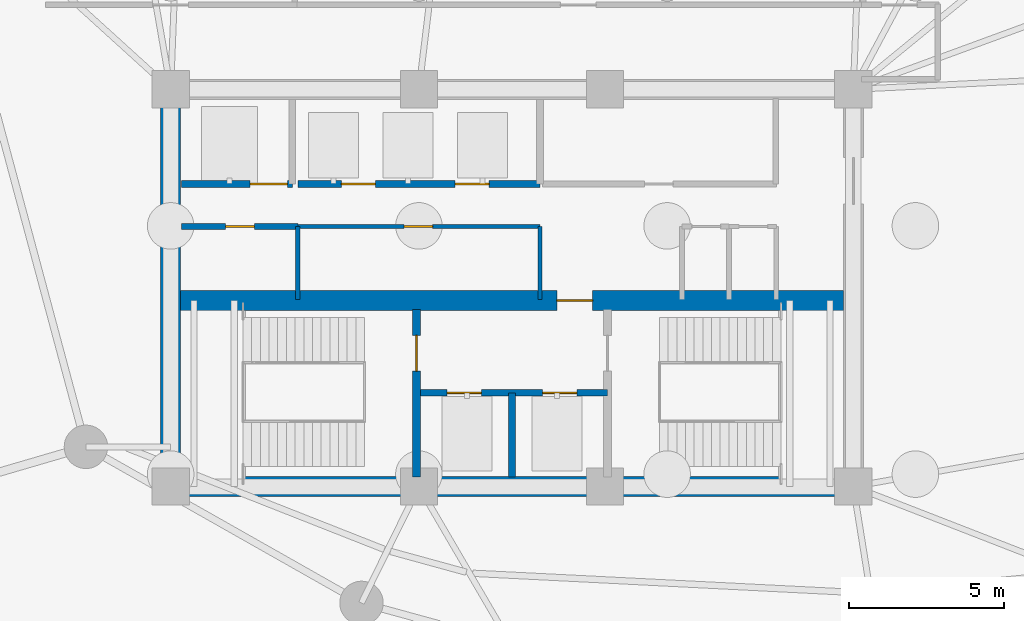
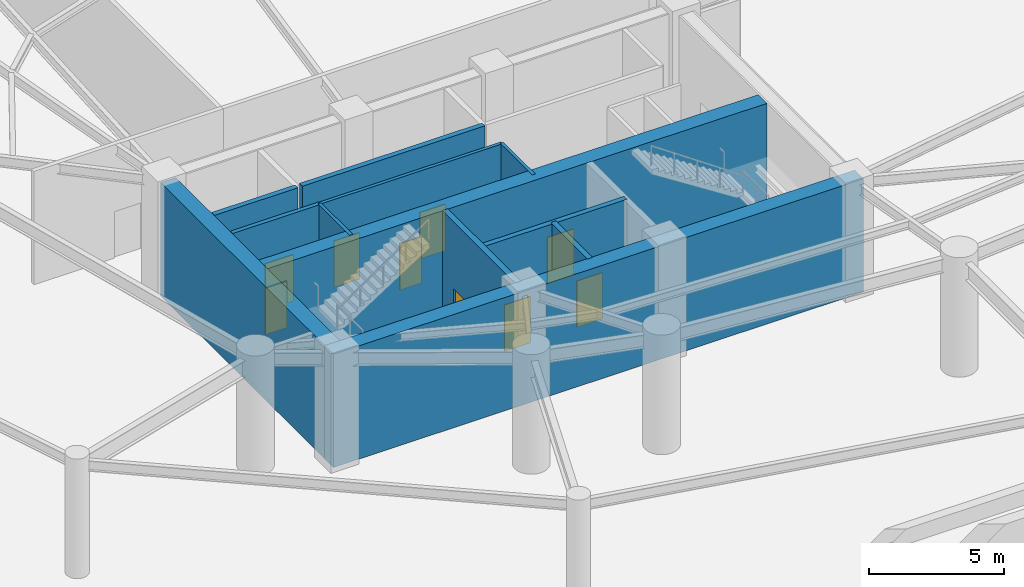
# One storey, part 7 of 22: 12 walls, 9 doors, 9 openings.
"""IFC4 building model written with IfcOpenShell, lengths in metres."""

from ifc_helpers import new_model, si_unit, direction, frame, frame_2d, origin, place, context, subcontext, project, spatial, rectangle, extrude, material, layer, layer_set, type_object, element, fill, save


model = new_model("IFC4")

# Units and contexts
model_context = context("Model", 3, precision=1e-05, world=origin(), true_north=direction((0.0, 1.0)))
body_context = subcontext(model_context, "Body", "Model", "MODEL_VIEW")
ifc_project = project(units=[si_unit("LENGTHUNIT", "METRE"), si_unit("AREAUNIT", "SQUARE_METRE"), si_unit("VOLUMEUNIT", "CUBIC_METRE"), si_unit("PLANEANGLEUNIT", "RADIAN"), si_unit("MASSUNIT", "GRAM", prefix="KILO")], contexts=[model_context])

# Site, building, storey
site_placement = place(None, origin())
site = spatial("IfcSite", under=ifc_project, at=site_placement, CompositionType="ELEMENT")
building_placement = place(site_placement, origin())
building = spatial("IfcBuilding", under=site, at=building_placement, Name="Kazevale Care Tower and Concert Hall", CompositionType="ELEMENT")
storey_placement = place(building_placement, frame((0.0, 0.0, -5.39990234375)))
storey = spatial("IfcBuildingStorey", under=building, at=storey_placement, Name="B1", CompositionType="ELEMENT", Elevation=-5.39990234375)

# Wall
ifc_material_1 = material(Name="Acoustic Gypsum on Steel Stud", Category="steel")
ifc_layer_1 = layer(ifc_material_1, 0.139892578125)
ifc_layer_set_1 = layer_set([ifc_layer_1], Name="Acoustic Gypsum on Steel Stud")
wall_type_1 = type_object("IfcWallType", Name="Acoustic Care & Suite Partition 140", PredefinedType="PARTITIONING", material=ifc_layer_set_1)
wall_1_placement = place(storey_placement, frame((26.10009765625, 29.6201171875, 0.0), z_axis=(0.0, 0.0, 1.0), x_axis=(0.0, 1.0, 0.0)))
element("IfcWall", 1, at=wall_1_placement, inside=storey, type_object=wall_type_1, Name="wall:B1:c_b1s_w", PredefinedType="PARTITIONING", context=body_context, shape_type="SweptSolid", body=[
    extrude(rectangle(XDim=2.35986328125, YDim=0.139892578125, at=frame_2d((1.179931640625, 0.0))), origin(), (0.0, 0.0, 1.0), 5.119873046875),
])

# Wall, opening, door
wall_2_placement = place(storey_placement, frame((26.10009765625, 31.97998046875, 0.0), z_axis=(0.0, 0.0, 1.0), x_axis=(1.0, 0.0, 0.0)))
wall_2 = element("IfcWall", 2, at=wall_2_placement, inside=storey, type_object=wall_type_1, Name="wall:B1:c_b1s_n", PredefinedType="PARTITIONING", context=body_context, shape_type="SweptSolid", body=[
    extrude(rectangle(XDim=7.7998046875, YDim=0.139892578125, at=frame_2d((3.89990234375, 0.0))), origin(), (0.0, 0.0, 1.0), 5.119873046875),
])
opening_1_placement = place(wall_2_placement, frame((3.425048828125, 0.0, 0.0)))
opening_1 = element("IfcOpeningElement", 3, at=opening_1_placement, cuts=wall_2, Name="Opening ID-900", PredefinedType="OPENING", context=body_context, shape_type="SweptSolid", body=[
    extrude(rectangle(XDim=0.919921875, YDim=2.10009765625, at=frame_2d((0.4599609375, 1.050048828125))), frame((0.0, 0.079833984375, 0.0), z_axis=(0.0, -1.0, 0.0), x_axis=(1.0, 0.0, 0.0)), (0.0, 0.0, 1.0), 0.159912109375),
])
ifc_material_2 = material(Name="Oak Timber Fire Leaf", Category="wood")
door_type_1 = type_object("IfcDoorType", Name="Bathroom & Service Door 920x2100", OperationType="NOTDEFINED", PredefinedType="DOOR", material=ifc_material_2)
door_1_placement = place(opening_1_placement, origin())
door_1 = element("IfcDoor", 4, at=door_1_placement, inside=storey, type_object=door_type_1, Name="door:B1:c_b1s_d", OperationType="SINGLE_SWING_LEFT", OverallHeight=2.10009765625, OverallWidth=0.919921875, PredefinedType="DOOR", context=body_context, shape_type="SweptSolid", body=[
    extrude(rectangle(XDim=0.919921875, YDim=2.10009765625, at=frame_2d((0.4599609375, 1.050048828125))), frame((0.0, 0.02490234375, 0.0), z_axis=(0.0, -1.0, 0.0), x_axis=(1.0, 0.0, 0.0)), (0.0, 0.0, 1.0), 0.050048828125),
])
fill(opening_1, door_1)

# Walls
wall_3_placement = place(storey_placement, frame((33.89990234375, 29.6201171875, 0.0), z_axis=(0.0, 0.0, 1.0), x_axis=(0.0, 1.0, 0.0)))
element("IfcWall", 5, at=wall_3_placement, inside=storey, type_object=wall_type_1, Name="wall:B1:c_b1s_e", PredefinedType="PARTITIONING", context=body_context, shape_type="SweptSolid", body=[
    extrude(rectangle(XDim=2.35986328125, YDim=0.139892578125, at=frame_2d((1.179931640625, 0.0))), origin(), (0.0, 0.0, 1.0), 5.119873046875),
])
ifc_material_3 = material(Name="Concrete C70", Category="concrete")
ifc_layer_2 = layer(ifc_material_3, 0.64990234375)
ifc_layer_set_2 = layer_set([ifc_layer_2], Name="Concrete C70")
wall_type_2 = type_object("IfcWallType", Name="Core Shear Wall 650 C70", PredefinedType="SHEAR", material=ifc_layer_set_2)
wall_4_placement = place(storey_placement, frame((21.675048828125, 23.60009765625, 0.0), z_axis=(0.0, 0.0, 1.0), x_axis=(1.0, 0.0, 0.0)))
element("IfcWall", 6, at=wall_4_placement, inside=storey, type_object=wall_type_2, Name="wall:B1:core:S", PredefinedType="SHEAR", context=body_context, shape_type="SweptSolid", body=[
    extrude(rectangle(XDim=22.64990234375, YDim=0.64990234375, at=frame_2d((11.324951171875, 0.0))), origin(), (0.0, 0.0, 1.0), 5.119873046875),
])
wall_5_placement = place(storey_placement, frame((22.0, 23.925048828125, 0.0), z_axis=(0.0, 0.0, 1.0), x_axis=(0.0, 1.0, 0.0)))
element("IfcWall", 7, at=wall_5_placement, inside=storey, type_object=wall_type_2, Name="wall:B1:core:W", PredefinedType="SHEAR", context=body_context, shape_type="SweptSolid", body=[
    extrude(rectangle(XDim=12.14990234375, YDim=0.64990234375, at=frame_2d((6.074951171875, 0.0))), origin(), (0.0, 0.0, 1.0), 5.119873046875),
])

# Wall, opening, door
wall_6_placement = place(storey_placement, frame((22.324951171875, 29.60009765625, 0.0), z_axis=(0.0, 0.0, 1.0), x_axis=(1.0, 0.0, 0.0)))
wall_6 = element("IfcWall", 8, at=wall_6_placement, inside=storey, type_object=wall_type_2, Name="wall:B1:core:M", PredefinedType="SHEAR", context=body_context, shape_type="SweptSolid", body=[
    extrude(rectangle(XDim=21.35009765625, YDim=0.64990234375, at=frame_2d((10.675048828125, 0.0))), origin(), (0.0, 0.0, 1.0), 5.119873046875),
])
opening_2_placement = place(wall_6_placement, frame((12.125, 0.0, 0.0)))
opening_2 = element("IfcOpeningElement", 9, at=opening_2_placement, cuts=wall_6, Name="Opening FD-90", PredefinedType="OPENING", context=body_context, shape_type="SweptSolid", body=[
    extrude(rectangle(XDim=1.14990234375, YDim=2.10009765625, at=frame_2d((0.574951171875, 1.050048828125))), frame((0.0, 0.3349609375, 0.0), z_axis=(0.0, -1.0, 0.0), x_axis=(1.0, 0.0, 0.0)), (0.0, 0.0, 1.0), 0.669921875),
])
ifc_material_4 = material(Name="Steel ASTM A572 Gr 50", Category="steel")
door_type_2 = type_object("IfcDoorType", Name="Pressurized Stair & Lobby Fire Door 1150x2100", OperationType="NOTDEFINED", PredefinedType="DOOR", material=ifc_material_4)
door_2_placement = place(opening_2_placement, origin())
door_2 = element("IfcDoor", 10, at=door_2_placement, inside=storey, type_object=door_type_2, Name="door:B1:ff_to_pax", OperationType="SINGLE_SWING_LEFT", OverallHeight=2.10009765625, OverallWidth=1.14990234375, PredefinedType="DOOR", context=body_context, shape_type="SweptSolid", body=[
    extrude(rectangle(XDim=1.14990234375, YDim=2.10009765625, at=frame_2d((0.574951171875, 1.050048828125))), frame((0.0, 0.02490234375, 0.0), z_axis=(0.0, -1.0, 0.0), x_axis=(1.0, 0.0, 0.0)), (0.0, 0.0, 1.0), 0.050048828125),
])
fill(opening_2, door_2)

# Wall, openings, doors
ifc_material_5 = material(Name="Concrete C40", Category="concrete")
ifc_layer_3 = layer(ifc_material_5, 0.219970703125)
ifc_layer_set_3 = layer_set([ifc_layer_3], Name="Concrete C40")
wall_type_3 = type_object("IfcWallType", Name="Elevator Hoistway Shaft Wall 220", PredefinedType="SOLIDWALL", material=ifc_layer_set_3)
wall_7_placement = place(storey_placement, frame((29.919921875, 26.6201171875, 0.0), z_axis=(0.0, 0.0, 1.0), x_axis=(1.0, 0.0, 0.0)))
wall_7 = element("IfcWall", 11, at=wall_7_placement, inside=storey, type_object=wall_type_3, Name="wall:B1:c_ffl_n", PredefinedType="SOLIDWALL", context=body_context, shape_type="SweptSolid", body=[
    extrude(rectangle(XDim=6.16015625, YDim=0.219970703125, at=frame_2d((3.080078125, 0.0))), origin(), (0.0, 0.0, 1.0), 5.119873046875),
])
opening_3_placement = place(wall_7_placement, frame((0.989990234375, 0.0, 0.0)))
opening_3 = element("IfcOpeningElement", 12, at=opening_3_placement, cuts=wall_7, Name="Opening LD-FF", PredefinedType="OPENING", context=body_context, shape_type="SweptSolid", body=[
    extrude(rectangle(XDim=1.10009765625, YDim=2.10009765625, at=frame_2d((0.550048828125, 1.050048828125))), frame((0.0, 0.119873046875, 0.0), z_axis=(0.0, -1.0, 0.0), x_axis=(1.0, 0.0, 0.0)), (0.0, 0.0, 1.0), 0.239990234375),
])
opening_4_placement = place(wall_7_placement, frame((4.070068359375, 0.0, 0.0)))
opening_4 = element("IfcOpeningElement", 13, at=opening_4_placement, cuts=wall_7, Name="Opening LD-FF", PredefinedType="OPENING", context=body_context, shape_type="SweptSolid", body=[
    extrude(rectangle(XDim=1.10009765625, YDim=2.10009765625, at=frame_2d((0.550048828125, 1.050048828125))), frame((0.0, 0.119873046875, 0.0), z_axis=(0.0, -1.0, 0.0), x_axis=(1.0, 0.0, 0.0)), (0.0, 0.0, 1.0), 0.239990234375),
])
ifc_material_6 = material(Name="Stainless Steel 316", Category="steel")
door_type_3 = type_object("IfcDoorType", Name="Emergency Lift Sliding Landing Door 1100x2100", OperationType="NOTDEFINED", PredefinedType="DOOR", material=ifc_material_6)
door_3_placement = place(opening_3_placement, origin())
door_3 = element("IfcDoor", 14, at=door_3_placement, inside=storey, type_object=door_type_3, Name="door:B1:ld_ffl1", OperationType="SLIDING_TO_LEFT", OverallHeight=2.10009765625, OverallWidth=1.10009765625, PredefinedType="DOOR", context=body_context, shape_type="SweptSolid", body=[
    extrude(rectangle(XDim=1.10009765625, YDim=2.10009765625, at=frame_2d((0.550048828125, 1.050048828125))), frame((0.0, 0.02490234375, 0.0), z_axis=(0.0, -1.0, 0.0), x_axis=(1.0, 0.0, 0.0)), (0.0, 0.0, 1.0), 0.050048828125),
])
fill(opening_3, door_3)
door_4_placement = place(opening_4_placement, origin())
door_4 = element("IfcDoor", 15, at=door_4_placement, inside=storey, type_object=door_type_3, Name="door:B1:ld_ffl2", OperationType="SLIDING_TO_RIGHT", OverallHeight=2.10009765625, OverallWidth=1.10009765625, PredefinedType="DOOR", context=body_context, shape_type="SweptSolid", body=[
    extrude(rectangle(XDim=1.10009765625, YDim=2.10009765625, at=frame_2d((0.550048828125, 1.050048828125))), frame((0.0, 0.02490234375, 0.0), z_axis=(0.0, -1.0, 0.0), x_axis=(1.0, 0.0, 0.0)), (0.0, 0.0, 1.0), 0.050048828125),
])
fill(opening_4, door_4)

# Wall
wall_8_placement = place(storey_placement, frame((33.0, 23.89990234375, 0.0), z_axis=(0.0, 0.0, 1.0), x_axis=(0.0, 1.0, 0.0)))
element("IfcWall", 16, at=wall_8_placement, inside=storey, type_object=wall_type_3, Name="wall:B1:c_ffl_m", PredefinedType="SOLIDWALL", context=body_context, shape_type="SweptSolid", body=[
    extrude(rectangle(XDim=2.72021484375, YDim=0.219970703125, at=frame_2d((1.360107421875, 0.0))), origin(), (0.0, 0.0, 1.0), 5.119873046875),
])

# Wall, opening, door
wall_9_placement = place(storey_placement, frame((22.35009765625, 33.35009765625, 0.0), z_axis=(0.0, 0.0, 1.0), x_axis=(1.0, 0.0, 0.0)))
wall_9 = element("IfcWall", 17, at=wall_9_placement, inside=storey, type_object=wall_type_3, Name="wall:B1:c_svl_s", PredefinedType="SOLIDWALL", context=body_context, shape_type="SweptSolid", body=[
    extrude(rectangle(XDim=3.56982421875, YDim=0.219970703125, at=frame_2d((1.784912109375, 0.0))), origin(), (0.0, 0.0, 1.0), 5.119873046875),
])
opening_5_placement = place(wall_9_placement, frame((2.212890625, 0.0, 0.0)))
opening_5 = element("IfcOpeningElement", 18, at=opening_5_placement, cuts=wall_9, Name="Opening LD-SV", PredefinedType="OPENING", context=body_context, shape_type="SweptSolid", body=[
    extrude(rectangle(XDim=1.199951171875, YDim=2.10009765625, at=frame_2d((0.60009765625, 1.050048828125))), frame((0.0, 0.119873046875, 0.0), z_axis=(0.0, -1.0, 0.0), x_axis=(1.0, 0.0, 0.0)), (0.0, 0.0, 1.0), 0.239990234375),
])
door_type_4 = type_object("IfcDoorType", Name="Service Lift Sliding Landing Door 1200x2100", OperationType="NOTDEFINED", PredefinedType="DOOR", material=ifc_material_6)
door_5_placement = place(opening_5_placement, origin())
door_5 = element("IfcDoor", 19, at=door_5_placement, inside=storey, type_object=door_type_4, Name="door:B1:ld_svl1", OperationType="SLIDING_TO_LEFT", OverallHeight=2.10009765625, OverallWidth=1.199951171875, PredefinedType="DOOR", context=body_context, shape_type="SweptSolid", body=[
    extrude(rectangle(XDim=1.199951171875, YDim=2.10009765625, at=frame_2d((0.60009765625, 1.050048828125))), frame((0.0, 0.02490234375, 0.0), z_axis=(0.0, -1.0, 0.0), x_axis=(1.0, 0.0, 0.0)), (0.0, 0.0, 1.0), 0.050048828125),
])
fill(opening_5, door_5)

# Wall, openings, doors
wall_10_placement = place(storey_placement, frame((26.10009765625, 33.35009765625, 0.0), z_axis=(0.0, 0.0, 1.0), x_axis=(1.0, 0.0, 0.0)))
wall_10 = element("IfcWall", 20, at=wall_10_placement, inside=storey, type_object=wall_type_3, Name="wall:B1:c_pl_s", PredefinedType="SOLIDWALL", context=body_context, shape_type="SweptSolid", body=[
    extrude(rectangle(XDim=7.7998046875, YDim=0.219970703125, at=frame_2d((3.89990234375, 0.0))), origin(), (0.0, 0.0, 1.0), 5.119873046875),
])
opening_6_placement = place(wall_10_placement, frame((1.39990234375, 0.0, 0.0)))
opening_6 = element("IfcOpeningElement", 21, at=opening_6_placement, cuts=wall_10, Name="Opening LD-PAX", PredefinedType="OPENING", context=body_context, shape_type="SweptSolid", body=[
    extrude(rectangle(XDim=1.10009765625, YDim=2.10009765625, at=frame_2d((0.550048828125, 1.050048828125))), frame((0.0, 0.119873046875, 0.0), z_axis=(0.0, -1.0, 0.0), x_axis=(1.0, 0.0, 0.0)), (0.0, 0.0, 1.0), 0.239990234375),
])
opening_7_placement = place(wall_10_placement, frame((5.06591796875, 0.0, 0.0)))
opening_7 = element("IfcOpeningElement", 22, at=opening_7_placement, cuts=wall_10, Name="Opening LD-PAX", PredefinedType="OPENING", context=body_context, shape_type="SweptSolid", body=[
    extrude(rectangle(XDim=1.10009765625, YDim=2.10009765625, at=frame_2d((0.550048828125, 1.050048828125))), frame((0.0, 0.119873046875, 0.0), z_axis=(0.0, -1.0, 0.0), x_axis=(1.0, 0.0, 0.0)), (0.0, 0.0, 1.0), 0.239990234375),
])
door_type_5 = type_object("IfcDoorType", Name="Passenger Lift Sliding Landing Door 1100x2100", OperationType="NOTDEFINED", PredefinedType="DOOR", material=ifc_material_6)
door_6_placement = place(opening_6_placement, origin())
door_6 = element("IfcDoor", 23, at=door_6_placement, inside=storey, type_object=door_type_5, Name="door:B1:ld_pl1", OperationType="SLIDING_TO_LEFT", OverallHeight=2.10009765625, OverallWidth=1.10009765625, PredefinedType="DOOR", context=body_context, shape_type="SweptSolid", body=[
    extrude(rectangle(XDim=1.10009765625, YDim=2.10009765625, at=frame_2d((0.550048828125, 1.050048828125))), frame((0.0, 0.02490234375, 0.0), z_axis=(0.0, -1.0, 0.0), x_axis=(1.0, 0.0, 0.0)), (0.0, 0.0, 1.0), 0.050048828125),
])
fill(opening_6, door_6)
door_7_placement = place(opening_7_placement, origin())
door_7 = element("IfcDoor", 24, at=door_7_placement, inside=storey, type_object=door_type_5, Name="door:B1:ld_pl2", OperationType="SLIDING_TO_RIGHT", OverallHeight=2.10009765625, OverallWidth=1.10009765625, PredefinedType="DOOR", context=body_context, shape_type="SweptSolid", body=[
    extrude(rectangle(XDim=1.10009765625, YDim=2.10009765625, at=frame_2d((0.550048828125, 1.050048828125))), frame((0.0, 0.02490234375, 0.0), z_axis=(0.0, -1.0, 0.0), x_axis=(1.0, 0.0, 0.0)), (0.0, 0.0, 1.0), 0.050048828125),
])
fill(opening_7, door_7)

# Wall, opening, door
ifc_material_7 = material(Name="Concrete C40 and Acoustic Gypsum", Category="concrete")
ifc_layer_4 = layer(ifc_material_7, 0.179931640625)
ifc_layer_set_4 = layer_set([ifc_layer_4], Name="Concrete C40 and Acoustic Gypsum")
wall_type_4 = type_object("IfcWallType", Name="Fire-Rated Corridor & Party Wall 180", PredefinedType="PARTITIONING", material=ifc_layer_set_4)
wall_11_placement = place(storey_placement, frame((22.35009765625, 31.97998046875, 0.0), z_axis=(0.0, 0.0, 1.0), x_axis=(1.0, 0.0, 0.0)))
wall_11 = element("IfcWall", 25, at=wall_11_placement, inside=storey, type_object=wall_type_4, Name="wall:B1:ka_wn1", PredefinedType="PARTITIONING", context=body_context, shape_type="SweptSolid", body=[
    extrude(rectangle(XDim=3.75, YDim=0.179931640625, at=frame_2d((1.875, 0.0))), origin(), (0.0, 0.0, 1.0), 5.119873046875),
])
opening_8_placement = place(wall_11_placement, frame((1.425048828125, 0.0, 0.0)))
opening_8 = element("IfcOpeningElement", 26, at=opening_8_placement, cuts=wall_11, Name="Opening ID-900", PredefinedType="OPENING", context=body_context, shape_type="SweptSolid", body=[
    extrude(rectangle(XDim=0.919921875, YDim=2.10009765625, at=frame_2d((0.4599609375, 1.050048828125))), frame((0.0, 0.099853515625, 0.0), z_axis=(0.0, -1.0, 0.0), x_axis=(1.0, 0.0, 0.0)), (0.0, 0.0, 1.0), 0.199951171875),
])
door_8_placement = place(opening_8_placement, origin())
door_8 = element("IfcDoor", 27, at=door_8_placement, inside=storey, type_object=door_type_1, Name="door:B1:d_kaw", OperationType="SINGLE_SWING_LEFT", OverallHeight=2.10009765625, OverallWidth=0.919921875, PredefinedType="DOOR", context=body_context, shape_type="SweptSolid", body=[
    extrude(rectangle(XDim=0.919921875, YDim=2.10009765625, at=frame_2d((0.4599609375, 1.050048828125))), frame((0.0, 0.02490234375, 0.0), z_axis=(0.0, -1.0, 0.0), x_axis=(1.0, 0.0, 0.0)), (0.0, 0.0, 1.0), 0.050048828125),
])
fill(opening_8, door_8)

ifc_layer_5 = layer(ifc_material_5, 0.25)
ifc_layer_set_5 = layer_set([ifc_layer_5], Name="Concrete C40")
wall_type_5 = type_object("IfcWallType", Name="Pressurized Stair Shaft Wall 250", PredefinedType="SOLIDWALL", material=ifc_layer_set_5)
wall_12_placement = place(storey_placement, frame((29.919921875, 23.89990234375, 0.0), z_axis=(0.0, 0.0, 1.0), x_axis=(0.0, 1.0, 0.0)))
wall_12 = element("IfcWall", 28, at=wall_12_placement, inside=storey, type_object=wall_type_5, Name="wall:B1:c_st1_e", PredefinedType="SOLIDWALL", context=body_context, shape_type="SweptSolid", body=[
    extrude(rectangle(XDim=5.400146484375, YDim=0.25, at=frame_2d((2.7001953125, 0.0))), origin(), (0.0, 0.0, 1.0), 5.119873046875),
])
opening_9_placement = place(wall_12_placement, frame((3.4208984375, 0.0, 0.0)))
opening_9 = element("IfcOpeningElement", 29, at=opening_9_placement, cuts=wall_12, Name="Opening FD-90", PredefinedType="OPENING", context=body_context, shape_type="SweptSolid", body=[
    extrude(rectangle(XDim=1.14990234375, YDim=2.10009765625, at=frame_2d((0.574951171875, 1.050048828125))), frame((0.0, 0.135009765625, 0.0), z_axis=(0.0, -1.0, 0.0), x_axis=(1.0, 0.0, 0.0)), (0.0, 0.0, 1.0), 0.27001953125),
])
door_9_placement = place(opening_9_placement, origin())
door_9 = element("IfcDoor", 30, at=door_9_placement, inside=storey, type_object=door_type_2, Name="door:B1:st1", OperationType="SINGLE_SWING_RIGHT", OverallHeight=2.10009765625, OverallWidth=1.14990234375, PredefinedType="DOOR", context=body_context, shape_type="SweptSolid", body=[
    extrude(rectangle(XDim=1.14990234375, YDim=2.10009765625, at=frame_2d((0.574951171875, 1.050048828125))), frame((0.0, 0.02490234375, 0.0), z_axis=(0.0, -1.0, 0.0), x_axis=(1.0, 0.0, 0.0)), (0.0, 0.0, 1.0), 0.050048828125),
])
fill(opening_9, door_9)

save(model, "model.ifc")
